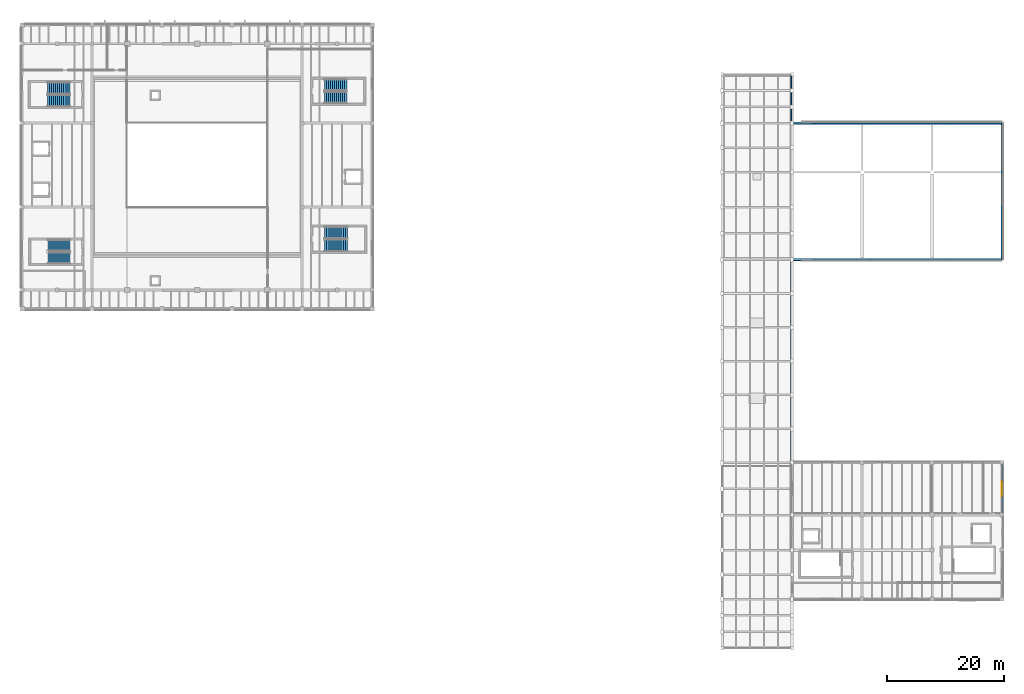
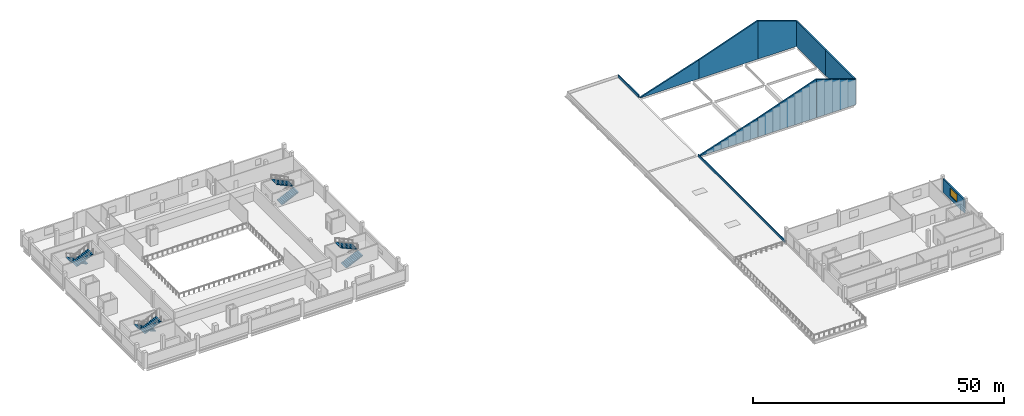
# One storey, part 12 of 19: 11 walls, 8 stair flights, 1 window, 1 opening, 4 elements without a shape of their own.
"""IFC4 building model written with IfcOpenShell, lengths in metres."""

from ifc_helpers import new_model, si_unit, direction, frame, frame_2d, origin, place, context, subcontext, project, spatial, polyline, rectangle, outline, extrude, material, layer, layer_set, type_object, element, fill, aggregate, save


model = new_model("IFC4")

# Units and contexts
model_context = context("Model", 3, precision=1e-05, world=origin(), true_north=direction((0.0, 1.0)))
body_context = subcontext(model_context, "Body", "Model", "MODEL_VIEW")
ifc_project = project(units=[si_unit("LENGTHUNIT", "METRE"), si_unit("AREAUNIT", "SQUARE_METRE"), si_unit("VOLUMEUNIT", "CUBIC_METRE"), si_unit("PLANEANGLEUNIT", "RADIAN"), si_unit("MASSUNIT", "GRAM", prefix="KILO")], contexts=[model_context])

# Site, building, storey
site_placement = place(None, origin())
site = spatial("IfcSite", under=ifc_project, at=site_placement, CompositionType="ELEMENT")
building_placement = place(site_placement, origin())
building = spatial("IfcBuilding", under=site, at=building_placement, Name="Kelmvaro Bay Concert Hall", CompositionType="ELEMENT")
storey_placement = place(building_placement, frame((0.0, 0.0, 18.300048828125)))
storey = spatial("IfcBuildingStorey", under=building, at=storey_placement, Name="L04", CompositionType="ELEMENT", Elevation=18.300048828125)

# Walls
ifc_material_1 = material(Name="Precast Concrete C40/50", Category="concrete")
ifc_layer_1 = layer(ifc_material_1, 0.18994140625)
ifc_layer_set_1 = layer_set([ifc_layer_1], Name="Precast Concrete C40/50")
wall_type_1 = type_object("IfcWallType", Name="Canopy Edge Parapet Upstand 190", PredefinedType="PARAPET", material=ifc_layer_set_1)
wall_1_placement = place(storey_placement, frame((131.8798828125, 39.1201171875, 0.06005859375), z_axis=(0.0, 0.0, 1.0), x_axis=(0.0, 1.0, 0.0)))
element("IfcWall", 1, at=wall_1_placement, inside=storey, type_object=wall_type_1, Name="L04 Roof Parapet 13", PredefinedType="PARAPET", context=body_context, shape_type="SweptSolid", body=[
    extrude(rectangle(XDim=34.579833984375, YDim=0.18994140625, at=frame_2d((17.2900390625, 0.0))), origin(), (0.0, 0.0, 1.0), 0.599853515625),
])
wall_2_placement = place(storey_placement, frame((131.8798828125, 97.300048828125, 0.06005859375), z_axis=(0.0, 0.0, 1.0), x_axis=(0.0, 1.0, 0.0)))
element("IfcWall", 2, at=wall_2_placement, inside=storey, type_object=wall_type_1, Name="L04 Roof Parapet 14", PredefinedType="PARAPET", context=body_context, shape_type="SweptSolid", body=[
    extrude(rectangle(XDim=8.179931640625, YDim=0.18994140625, at=frame_2d((4.08984375, 0.0))), origin(), (0.0, 0.0, 1.0), 0.599853515625),
])
ifc_material_2 = material(Name="Precast Concrete C40/50", Category="concrete")
ifc_layer_2 = layer(ifc_material_2, 0.320068359375)
ifc_layer_set_2 = layer_set([ifc_layer_2], Name="Precast Concrete C40/50")
wall_type_2 = type_object("IfcWallType", Name="Chamber Pavilion Precast Wall 320", PredefinedType="SOLIDWALL", material=ifc_layer_set_2)
for number, where, z_axis, x_axis, name in (
    (3, (168.0, 85.5, 0.0), (0.0, 0.0, 1.0), (0.0, -1.0, 0.0), "L04 Raked Crystal Gable Wall EW-L04-0156"),
    (4, (168.0, 97.199951171875, 0.0), (0.0, 0.0, 1.0), (0.0, -1.0, 0.0), "L04 Raked Crystal Gable Wall EW-L04-0157"),
):
    element("IfcWall", number, at=place(storey_placement, frame(where, z_axis=z_axis, x_axis=x_axis)), inside=storey, type_object=wall_type_2, Name=name, PredefinedType="SOLIDWALL", context=body_context, shape_type="SweptSolid", body=[
        extrude(outline(polyline([(0.0, 0.0), (11.699951171875, 0.0), (11.699951171875, 6.139892578125), (0.0, 6.139892578125), (0.0, 0.0)])), frame((0.0, 0.16015625, 0.0), z_axis=(0.0, -1.0, 0.0), x_axis=(1.0, 0.0, 0.0)), (0.0, 0.0, 1.0), 0.320068359375),
    ])
wall_3_placement = place(storey_placement, frame((168.0, 73.800048828125, 0.0), z_axis=(0.0, 0.0, 1.0), x_axis=(-1.0, 0.0, 0.0)))
element("IfcWall", 5, at=wall_3_placement, inside=storey, type_object=wall_type_2, Name="L04 Raked Crystal Gable Wall EW-L04-0158", PredefinedType="SOLIDWALL", context=body_context, shape_type="SweptSolid", body=[
    extrude(outline(polyline([(0.0, 0.0), (9.0, 0.0), (9.0, 9.325927734375), (0.0, 6.139892578125), (0.0, 0.0)])), frame((0.0, 0.16015625, 0.0), z_axis=(0.0, -1.0, 0.0), x_axis=(1.0, 0.0, 0.0)), (0.0, 0.0, 1.0), 0.320068359375),
])
wall_4_placement = place(storey_placement, frame((159.0, 73.800048828125, 0.0), z_axis=(0.0, 0.0, 1.0), x_axis=(-1.0, 0.0, 0.0)))
element("IfcWall", 6, at=wall_4_placement, inside=storey, type_object=wall_type_2, Name="L04 Raked Crystal Gable Wall EW-L04-0159", PredefinedType="SOLIDWALL", context=body_context, shape_type="SweptSolid", body=[
    extrude(outline(polyline([(0.0, 0.0), (13.5, 0.0), (13.5, 4.544921875), (0.0, 9.325927734375), (0.0, 0.0)])), frame((0.0, 0.16015625, 0.0), z_axis=(0.0, -1.0, 0.0), x_axis=(1.0, 0.0, 0.0)), (0.0, 0.0, 1.0), 0.320068359375),
])
wall_5_placement = place(storey_placement, frame((145.5, 73.800048828125, 0.0), z_axis=(0.0, 0.0, 1.0), x_axis=(-1.0, 0.0, 0.0)))
element("IfcWall", 7, at=wall_5_placement, inside=storey, type_object=wall_type_2, Name="L04 Raked Crystal Gable Wall EW-L04-0160", PredefinedType="SOLIDWALL", context=body_context, shape_type="SweptSolid", body=[
    extrude(outline(polyline([(0.0, 0.0), (13.5, 0.0), (13.5, 0.119873046875), (0.0, 4.544921875), (0.0, 0.0)])), frame((0.0, 0.16015625, 0.0), z_axis=(0.0, -1.0, 0.0), x_axis=(1.0, 0.0, 0.0)), (0.0, 0.0, 1.0), 0.320068359375),
])
wall_6_placement = place(storey_placement, frame((132.0, 97.199951171875, 0.0), z_axis=(0.0, 0.0, 1.0), x_axis=(1.0, 0.0, 0.0)))
element("IfcWall", 8, at=wall_6_placement, inside=storey, type_object=wall_type_2, Name="L04 Raked Crystal Gable Wall EW-L04-0161", PredefinedType="SOLIDWALL", context=body_context, shape_type="SweptSolid", body=[
    extrude(outline(polyline([(0.0, 0.0), (13.5, 0.0), (13.5, 4.544921875), (0.0, 0.119873046875), (0.0, 0.0)])), frame((0.0, 0.16015625, 0.0), z_axis=(0.0, -1.0, 0.0), x_axis=(1.0, 0.0, 0.0)), (0.0, 0.0, 1.0), 0.320068359375),
])
wall_7_placement = place(storey_placement, frame((145.5, 97.199951171875, 0.0), z_axis=(0.0, 0.0, 1.0), x_axis=(1.0, 0.0, 0.0)))
element("IfcWall", 9, at=wall_7_placement, inside=storey, type_object=wall_type_2, Name="L04 Raked Crystal Gable Wall EW-L04-0162", PredefinedType="SOLIDWALL", context=body_context, shape_type="SweptSolid", body=[
    extrude(outline(polyline([(0.0, 0.0), (13.5, 0.0), (13.5, 9.325927734375), (0.0, 4.544921875), (0.0, 0.0)])), frame((0.0, 0.16015625, 0.0), z_axis=(0.0, -1.0, 0.0), x_axis=(1.0, 0.0, 0.0)), (0.0, 0.0, 1.0), 0.320068359375),
])
wall_8_placement = place(storey_placement, frame((159.0, 97.199951171875, 0.0), z_axis=(0.0, 0.0, 1.0), x_axis=(1.0, 0.0, 0.0)))
element("IfcWall", 10, at=wall_8_placement, inside=storey, type_object=wall_type_2, Name="L04 Raked Crystal Gable Wall EW-L04-0163", PredefinedType="SOLIDWALL", context=body_context, shape_type="SweptSolid", body=[
    extrude(outline(polyline([(0.0, 0.0), (9.0, 0.0), (9.0, 6.139892578125), (0.0, 9.325927734375), (0.0, 0.0)])), frame((0.0, 0.16015625, 0.0), z_axis=(0.0, -1.0, 0.0), x_axis=(1.0, 0.0, 0.0)), (0.0, 0.0, 1.0), 0.320068359375),
])

# Wall, opening, window
ifc_material_3 = material(Name="Precast Concrete C40/50", Category="concrete")
ifc_layer_3 = layer(ifc_material_3, 0.280029296875)
ifc_layer_set_3 = layer_set([ifc_layer_3], Name="Precast Concrete C40/50")
wall_type_3 = type_object("IfcWallType", Name="Percussion Pavilion Precast Wall 280", PredefinedType="SOLIDWALL", material=ifc_layer_set_3)
wall_9_placement = place(storey_placement, frame((168.0, 38.675048828125, 0.0), z_axis=(0.0, 0.0, 1.0), x_axis=(0.0, -1.0, 0.0)))
wall_9 = element("IfcWall", 11, at=wall_9_placement, inside=storey, type_object=wall_type_3, Name="L04 Exterior Wall EW-L04-0251", PredefinedType="SOLIDWALL", context=body_context, shape_type="SweptSolid", body=[
    extrude(rectangle(XDim=8.35009765625, YDim=0.280029296875, at=frame_2d((4.175048828125, 0.0))), origin(), (0.0, 0.0, 1.0), 3.26904296875),
])
opening_placement = place(wall_9_placement, frame((2.824951171875, 0.0, 0.85009765625)))
opening = element("IfcOpeningElement", 12, at=opening_placement, cuts=wall_9, Name="Opening WN-07", PredefinedType="OPENING", context=body_context, shape_type="SweptSolid", body=[
    extrude(rectangle(XDim=2.699951171875, YDim=1.949951171875, at=frame_2d((1.35009765625, 0.97509765625))), frame((0.0, 0.14990234375, 0.0), z_axis=(0.0, -1.0, 0.0), x_axis=(1.0, 0.0, 0.0)), (0.0, 0.0, 1.0), 0.300048828125),
])
ifc_material_4 = material(Name="Thermally Broken Aluminium and Acoustic Low-E Glass", Category="aluminium")
window_type = type_object("IfcWindowType", Name="Classroom Mullion Window 2700x1950", PartitioningType="SINGLE_PANEL", PredefinedType="WINDOW", material=ifc_material_4)
window_placement = place(opening_placement, origin())
window = element("IfcWindow", 13, at=window_placement, inside=storey, type_object=window_type, Name="L04 Facade Window WN-L04-0140", OverallHeight=1.949951171875, OverallWidth=2.699951171875, PartitioningType="SINGLE_PANEL", PredefinedType="WINDOW", context=body_context, shape_type="SweptSolid", body=[
    extrude(rectangle(XDim=2.699951171875, YDim=1.949951171875, at=frame_2d((1.35009765625, 0.97509765625))), frame((0.0, 0.030029296875, 0.0), z_axis=(0.0, -1.0, 0.0), x_axis=(1.0, 0.0, 0.0)), (0.0, 0.0, 1.0), 0.06005859375),
])
fill(opening, window)

# Stair, stair flights
ifc_material_5 = material(Name="Concrete C40/50", Category="concrete")
stair_type_1 = type_object("IfcStairType", Name="Core Dogleg Exit Stair 1980", PredefinedType="USERDEFINED", material=ifc_material_5)
stair_1_placement = place(storey_placement, origin())
stair_1 = element("IfcStair", 14, at=stair_1_placement, inside=storey, type_object=stair_type_1, Name="L04 Exit Stair ST-01", ObjectType="TWO_RETURN_STAIR", PredefinedType="USERDEFINED")
ifc_material_6 = material(Name="Precast Concrete C40/50", Category="concrete")
stair_flight_type_1 = type_object("IfcStairFlightType", Name="Precast Concrete Core Stair Flight 1980", PredefinedType="STRAIGHT", material=ifc_material_6)
stair_flight_1_placement = place(storey_placement, frame((8.219970703125, 76.2099609375, 0.0), z_axis=(0.0, 0.0, 1.0), x_axis=(-1.0, 0.0, 0.0)))
stair_flight_1 = element("IfcStairFlight", 15, at=stair_flight_1_placement, type_object=stair_flight_type_1, Name="ST-01 flight 1", NumberOfRisers=12, NumberOfTreads=11, PredefinedType="STRAIGHT", RiserHeight=0.1625, TreadLength=0.348, context=body_context, shape_type="SweptSolid", body=[
    extrude(outline(polyline([(0.0, 0.0), (0.0, 0.16259765625), (0.347900390625, 0.16259765625), (0.347900390625, 0.324951171875), (0.696044921875, 0.324951171875), (0.696044921875, 0.487548828125), (1.0439453125, 0.487548828125), (1.0439453125, 0.64990234375), (1.39208984375, 0.64990234375), (1.39208984375, 0.8125), (1.739990234375, 0.8125), (1.739990234375, 0.97509765625), (2.087890625, 0.97509765625), (2.087890625, 1.137451171875), (2.43603515625, 1.137451171875), (2.43603515625, 1.300048828125), (2.783935546875, 1.300048828125), (2.783935546875, 1.46240234375), (3.132080078125, 1.46240234375), (3.132080078125, 1.625), (3.47998046875, 1.625), (3.47998046875, 1.78759765625), (3.827880859375, 1.78759765625), (3.827880859375, 1.949951171875), (3.827880859375, 1.6220703125), (0.354248046875, 0.0), (0.0, 0.0)])), frame((0.0, 0.989990234375, 0.0), z_axis=(0.0, -1.0, 0.0), x_axis=(1.0, 0.0, 0.0)), (0.0, 0.0, 1.0), 1.97998046875),
])
stair_flight_2_placement = place(storey_placement, frame((4.39208984375, 74.080078125, 1.949951171875), z_axis=(0.0, 0.0, 1.0), x_axis=(1.0, 0.0, 0.0)))
stair_flight_2 = element("IfcStairFlight", 16, at=stair_flight_2_placement, type_object=stair_flight_type_1, Name="ST-01 flight 2", NumberOfRisers=12, NumberOfTreads=11, PredefinedType="STRAIGHT", RiserHeight=0.1625, TreadLength=0.348, context=body_context, shape_type="SweptSolid", body=[
    extrude(outline(polyline([(0.0, 0.0), (0.0, 0.16259765625), (0.347900390625, 0.16259765625), (0.347900390625, 0.324951171875), (0.696044921875, 0.324951171875), (0.696044921875, 0.487548828125), (1.0439453125, 0.487548828125), (1.0439453125, 0.64990234375), (1.39208984375, 0.64990234375), (1.39208984375, 0.8125), (1.739990234375, 0.8125), (1.739990234375, 0.97509765625), (2.087890625, 0.97509765625), (2.087890625, 1.137451171875), (2.43603515625, 1.137451171875), (2.43603515625, 1.300048828125), (2.783935546875, 1.300048828125), (2.783935546875, 1.46240234375), (3.132080078125, 1.46240234375), (3.132080078125, 1.625), (3.47998046875, 1.625), (3.47998046875, 1.78759765625), (3.827880859375, 1.78759765625), (3.827880859375, 1.949951171875), (3.827880859375, 1.6220703125), (0.354248046875, 0.0), (0.0, 0.0)])), frame((0.0, 0.989990234375, 0.0), z_axis=(0.0, -1.0, 0.0), x_axis=(1.0, 0.0, 0.0)), (0.0, 0.0, 1.0), 1.97998046875),
])
aggregate(stair_1, [stair_flight_1, stair_flight_2])

ifc_material_7 = material(Name="Concrete C40/50", Category="concrete")
stair_type_2 = type_object("IfcStairType", Name="Core Dogleg Exit Stair 2000", PredefinedType="USERDEFINED", material=ifc_material_7)
stair_2_placement = place(storey_placement, origin())
stair_2 = element("IfcStair", 17, at=stair_2_placement, inside=storey, type_object=stair_type_2, Name="L04 Exit Stair ST-02", ObjectType="TWO_RETURN_STAIR", PredefinedType="USERDEFINED")
ifc_material_8 = material(Name="Precast Concrete C40/50", Category="concrete")
stair_flight_type_2 = type_object("IfcStairFlightType", Name="Precast Concrete Core Stair Flight 2000", PredefinedType="STRAIGHT", material=ifc_material_8)
stair_flight_3_placement = place(storey_placement, frame((51.800048828125, 101.60009765625, 0.0), z_axis=(0.0, 0.0, 1.0), x_axis=(1.0, 0.0, 0.0)))
stair_flight_3 = element("IfcStairFlight", 18, at=stair_flight_3_placement, type_object=stair_flight_type_2, Name="ST-02 flight 1", NumberOfRisers=12, NumberOfTreads=11, PredefinedType="STRAIGHT", RiserHeight=0.1625, TreadLength=0.35, context=body_context, shape_type="SweptSolid", body=[
    extrude(outline(polyline([(0.0, 0.0), (0.0, 0.16259765625), (0.35009765625, 0.16259765625), (0.35009765625, 0.324951171875), (0.699951171875, 0.324951171875), (0.699951171875, 0.487548828125), (1.050048828125, 0.487548828125), (1.050048828125, 0.64990234375), (1.39990234375, 0.64990234375), (1.39990234375, 0.8125), (1.75, 0.8125), (1.75, 0.97509765625), (2.10009765625, 0.97509765625), (2.10009765625, 1.137451171875), (2.449951171875, 1.137451171875), (2.449951171875, 1.300048828125), (2.800048828125, 1.300048828125), (2.800048828125, 1.46240234375), (3.14990234375, 1.46240234375), (3.14990234375, 1.625), (3.5, 1.625), (3.5, 1.78759765625), (3.85009765625, 1.78759765625), (3.85009765625, 1.949951171875), (3.85009765625, 1.622314453125), (0.35595703125, 0.0), (0.0, 0.0)])), frame((0.0, 1.0, 0.0), z_axis=(0.0, -1.0, 0.0), x_axis=(1.0, 0.0, 0.0)), (0.0, 0.0, 1.0), 2.0),
])
stair_flight_4_placement = place(storey_placement, frame((55.64990234375, 103.75, 1.949951171875), z_axis=(0.0, 0.0, 1.0), x_axis=(-1.0, 0.0, 0.0)))
stair_flight_4 = element("IfcStairFlight", 19, at=stair_flight_4_placement, type_object=stair_flight_type_2, Name="ST-02 flight 2", NumberOfRisers=12, NumberOfTreads=11, PredefinedType="STRAIGHT", RiserHeight=0.1625, TreadLength=0.35, context=body_context, shape_type="SweptSolid", body=[
    extrude(outline(polyline([(0.0, 0.0), (0.0, 0.16259765625), (0.35009765625, 0.16259765625), (0.35009765625, 0.324951171875), (0.699951171875, 0.324951171875), (0.699951171875, 0.487548828125), (1.050048828125, 0.487548828125), (1.050048828125, 0.64990234375), (1.39990234375, 0.64990234375), (1.39990234375, 0.8125), (1.75, 0.8125), (1.75, 0.97509765625), (2.10009765625, 0.97509765625), (2.10009765625, 1.137451171875), (2.449951171875, 1.137451171875), (2.449951171875, 1.300048828125), (2.800048828125, 1.300048828125), (2.800048828125, 1.46240234375), (3.14990234375, 1.46240234375), (3.14990234375, 1.625), (3.5, 1.625), (3.5, 1.78759765625), (3.85009765625, 1.78759765625), (3.85009765625, 1.949951171875), (3.85009765625, 1.622314453125), (0.35595703125, 0.0), (0.0, 0.0)])), frame((0.0, 1.0, 0.0), z_axis=(0.0, -1.0, 0.0), x_axis=(1.0, 0.0, 0.0)), (0.0, 0.0, 1.0), 2.0),
])
aggregate(stair_2, [stair_flight_3, stair_flight_4])

ifc_material_9 = material(Name="Concrete C40/50", Category="concrete")
stair_type_3 = type_object("IfcStairType", Name="Core Dogleg Exit Stair 2020", PredefinedType="USERDEFINED", material=ifc_material_9)
stair_3_placement = place(storey_placement, origin())
stair_3 = element("IfcStair", 20, at=stair_3_placement, inside=storey, type_object=stair_type_3, Name="L04 Exit Stair ST-03", ObjectType="TWO_RETURN_STAIR", PredefinedType="USERDEFINED")
ifc_material_10 = material(Name="Precast Concrete C40/50", Category="concrete")
stair_flight_type_3 = type_object("IfcStairFlightType", Name="Precast Concrete Core Stair Flight 2020", PredefinedType="STRAIGHT", material=ifc_material_10)
stair_flight_5_placement = place(storey_placement, frame((8.179931640625, 103.18994140625, 0.0), z_axis=(0.0, 0.0, 1.0), x_axis=(-1.0, 0.0, 0.0)))
stair_flight_5 = element("IfcStairFlight", 21, at=stair_flight_5_placement, type_object=stair_flight_type_3, Name="ST-03 flight 1", NumberOfRisers=12, NumberOfTreads=11, PredefinedType="STRAIGHT", RiserHeight=0.1625, TreadLength=0.352, context=body_context, shape_type="SweptSolid", body=[
    extrude(outline(polyline([(0.0, 0.0), (0.0, 0.16259765625), (0.35205078125, 0.16259765625), (0.35205078125, 0.324951171875), (0.7041015625, 0.324951171875), (0.7041015625, 0.487548828125), (1.055908203125, 0.487548828125), (1.055908203125, 0.64990234375), (1.407958984375, 0.64990234375), (1.407958984375, 0.8125), (1.760009765625, 0.8125), (1.760009765625, 0.97509765625), (2.112060546875, 0.97509765625), (2.112060546875, 1.137451171875), (2.464111328125, 1.137451171875), (2.464111328125, 1.300048828125), (2.81591796875, 1.300048828125), (2.81591796875, 1.46240234375), (3.16796875, 1.46240234375), (3.16796875, 1.625), (3.52001953125, 1.625), (3.52001953125, 1.78759765625), (3.8720703125, 1.78759765625), (3.8720703125, 1.949951171875), (3.8720703125, 1.622314453125), (0.357666015625, 0.0), (0.0, 0.0)])), frame((0.0, 1.010009765625, 0.0), z_axis=(0.0, -1.0, 0.0), x_axis=(1.0, 0.0, 0.0)), (0.0, 0.0, 1.0), 2.02001953125),
])
stair_flight_6_placement = place(storey_placement, frame((4.30810546875, 101.02001953125, 1.949951171875), z_axis=(0.0, 0.0, 1.0), x_axis=(1.0, 0.0, 0.0)))
stair_flight_6 = element("IfcStairFlight", 22, at=stair_flight_6_placement, type_object=stair_flight_type_3, Name="ST-03 flight 2", NumberOfRisers=12, NumberOfTreads=11, PredefinedType="STRAIGHT", RiserHeight=0.1625, TreadLength=0.352, context=body_context, shape_type="SweptSolid", body=[
    extrude(outline(polyline([(0.0, 0.0), (0.0, 0.16259765625), (0.35205078125, 0.16259765625), (0.35205078125, 0.324951171875), (0.7041015625, 0.324951171875), (0.7041015625, 0.487548828125), (1.055908203125, 0.487548828125), (1.055908203125, 0.64990234375), (1.407958984375, 0.64990234375), (1.407958984375, 0.8125), (1.760009765625, 0.8125), (1.760009765625, 0.97509765625), (2.112060546875, 0.97509765625), (2.112060546875, 1.137451171875), (2.464111328125, 1.137451171875), (2.464111328125, 1.300048828125), (2.81591796875, 1.300048828125), (2.81591796875, 1.46240234375), (3.16796875, 1.46240234375), (3.16796875, 1.625), (3.52001953125, 1.625), (3.52001953125, 1.78759765625), (3.8720703125, 1.78759765625), (3.8720703125, 1.949951171875), (3.8720703125, 1.622314453125), (0.357666015625, 0.0), (0.0, 0.0)])), frame((0.0, 1.010009765625, 0.0), z_axis=(0.0, -1.0, 0.0), x_axis=(1.0, 0.0, 0.0)), (0.0, 0.0, 1.0), 2.02001953125),
])
aggregate(stair_3, [stair_flight_5, stair_flight_6])

ifc_material_11 = material(Name="Concrete C40/50", Category="concrete")
stair_type_4 = type_object("IfcStairType", Name="Core Dogleg Exit Stair 2050", PredefinedType="USERDEFINED", material=ifc_material_11)
stair_4_placement = place(storey_placement, origin())
stair_4 = element("IfcStair", 23, at=stair_4_placement, inside=storey, type_object=stair_type_4, Name="L04 Exit Stair ST-04", ObjectType="TWO_RETURN_STAIR", PredefinedType="USERDEFINED")
ifc_material_12 = material(Name="Precast Concrete C40/50", Category="concrete")
stair_flight_type_4 = type_object("IfcStairFlightType", Name="Precast Concrete Core Stair Flight 2050", PredefinedType="STRAIGHT", material=ifc_material_12)
stair_flight_7_placement = place(storey_placement, frame((51.85009765625, 76.22509765625, 0.0), z_axis=(0.0, 0.0, 1.0), x_axis=(1.0, 0.0, 0.0)))
stair_flight_7 = element("IfcStairFlight", 24, at=stair_flight_7_placement, type_object=stair_flight_type_4, Name="ST-04 flight 1", NumberOfRisers=12, NumberOfTreads=11, PredefinedType="STRAIGHT", RiserHeight=0.1625, TreadLength=0.355, context=body_context, shape_type="SweptSolid", body=[
    extrude(outline(polyline([(0.0, 0.0), (0.0, 0.16259765625), (0.35498046875, 0.16259765625), (0.35498046875, 0.324951171875), (0.7099609375, 0.324951171875), (0.7099609375, 0.487548828125), (1.06494140625, 0.487548828125), (1.06494140625, 0.64990234375), (1.419921875, 0.64990234375), (1.419921875, 0.8125), (1.77490234375, 0.8125), (1.77490234375, 0.97509765625), (2.1298828125, 0.97509765625), (2.1298828125, 1.137451171875), (2.485107421875, 1.137451171875), (2.485107421875, 1.300048828125), (2.840087890625, 1.300048828125), (2.840087890625, 1.46240234375), (3.195068359375, 1.46240234375), (3.195068359375, 1.625), (3.550048828125, 1.625), (3.550048828125, 1.78759765625), (3.905029296875, 1.78759765625), (3.905029296875, 1.949951171875), (3.905029296875, 1.62255859375), (0.360107421875, 0.0), (0.0, 0.0)])), frame((0.0, 1.02490234375, 0.0), z_axis=(0.0, -1.0, 0.0), x_axis=(1.0, 0.0, 0.0)), (0.0, 0.0, 1.0), 2.050048828125),
])
stair_flight_8_placement = place(storey_placement, frame((55.7548828125, 78.425048828125, 1.949951171875), z_axis=(0.0, 0.0, 1.0), x_axis=(-1.0, 0.0, 0.0)))
stair_flight_8 = element("IfcStairFlight", 25, at=stair_flight_8_placement, type_object=stair_flight_type_4, Name="ST-04 flight 2", NumberOfRisers=12, NumberOfTreads=11, PredefinedType="STRAIGHT", RiserHeight=0.1625, TreadLength=0.355, context=body_context, shape_type="SweptSolid", body=[
    extrude(outline(polyline([(0.0, 0.0), (0.0, 0.16259765625), (0.35498046875, 0.16259765625), (0.35498046875, 0.324951171875), (0.7099609375, 0.324951171875), (0.7099609375, 0.487548828125), (1.06494140625, 0.487548828125), (1.06494140625, 0.64990234375), (1.419921875, 0.64990234375), (1.419921875, 0.8125), (1.77490234375, 0.8125), (1.77490234375, 0.97509765625), (2.1298828125, 0.97509765625), (2.1298828125, 1.137451171875), (2.485107421875, 1.137451171875), (2.485107421875, 1.300048828125), (2.840087890625, 1.300048828125), (2.840087890625, 1.46240234375), (3.195068359375, 1.46240234375), (3.195068359375, 1.625), (3.550048828125, 1.625), (3.550048828125, 1.78759765625), (3.905029296875, 1.78759765625), (3.905029296875, 1.949951171875), (3.905029296875, 1.62255859375), (0.360107421875, 0.0), (0.0, 0.0)])), frame((0.0, 1.02490234375, 0.0), z_axis=(0.0, -1.0, 0.0), x_axis=(1.0, 0.0, 0.0)), (0.0, 0.0, 1.0), 2.050048828125),
])
aggregate(stair_4, [stair_flight_7, stair_flight_8])

save(model, "model.ifc")
